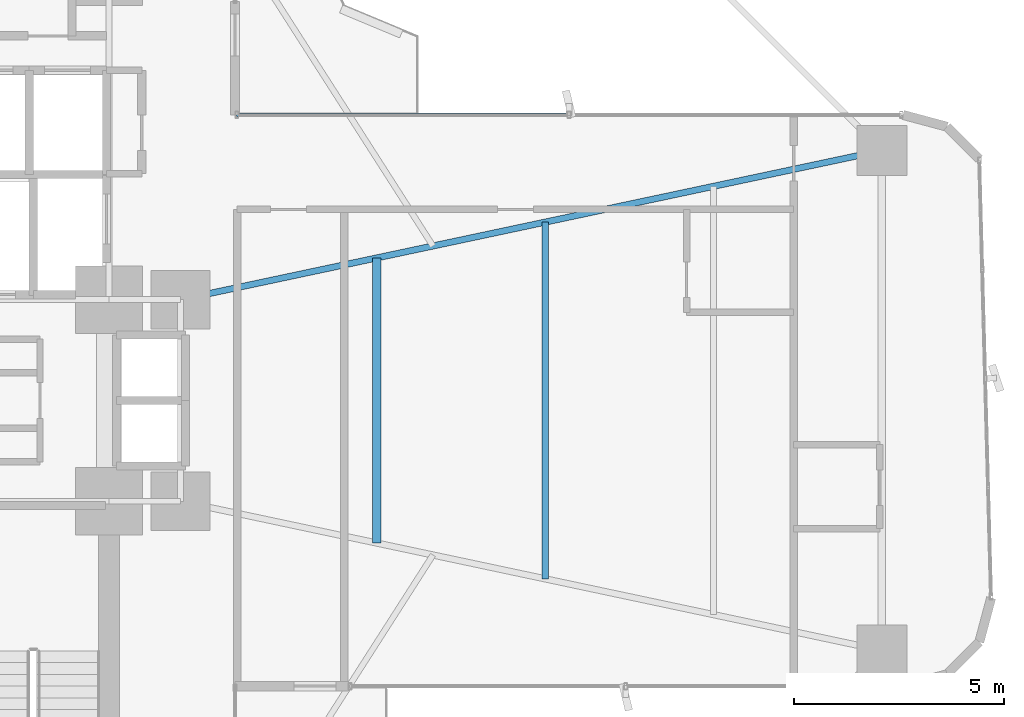
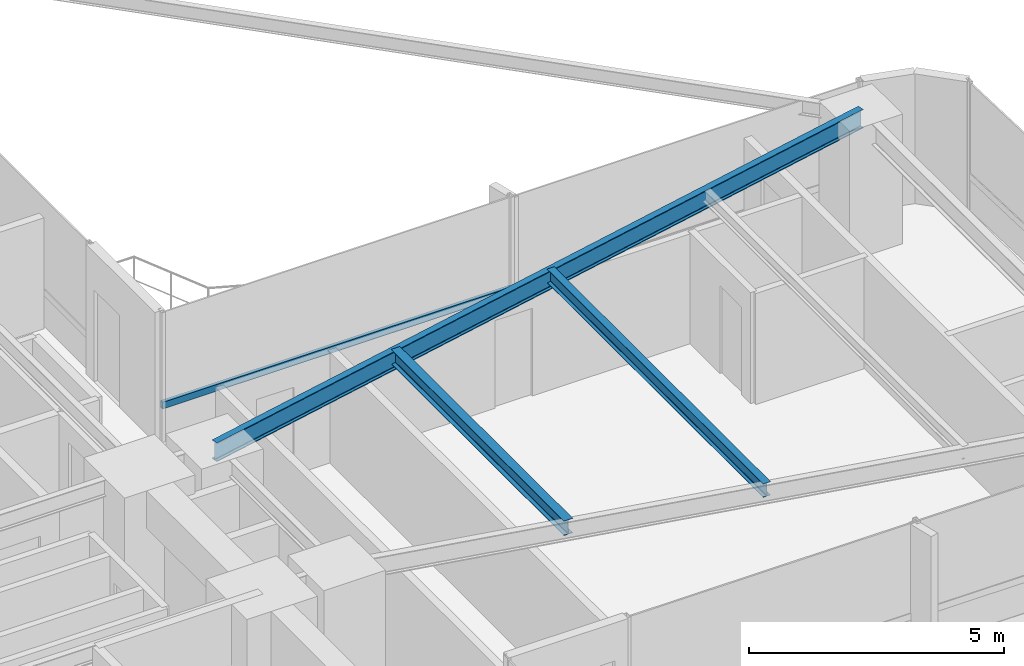
# One storey, part 15 of 25: 3 beams, 1 member, 1 element without a shape of its own.
"""IFC4 building model written with IfcOpenShell, lengths in metres."""

from ifc_helpers import new_model, si_unit, direction, frame, origin, origin_2d, place, context, subcontext, project, spatial, hollow_rectangle, i_section, extrude, source, transform, mapped, material, material_profile, profile_set, type_object, element, aggregate, save


model = new_model("IFC4")

# Units and contexts
model_context = context("Model", 3, precision=1e-05, world=origin(), true_north=direction((0.0, 1.0)))
body_context = subcontext(model_context, "Body", "Model", "MODEL_VIEW")
ifc_project = project(units=[si_unit("LENGTHUNIT", "METRE"), si_unit("AREAUNIT", "SQUARE_METRE"), si_unit("VOLUMEUNIT", "CUBIC_METRE"), si_unit("PLANEANGLEUNIT", "RADIAN"), si_unit("MASSUNIT", "GRAM", prefix="KILO")], contexts=[model_context])

# Site, building, storey
site_placement = place(None, origin())
site = spatial("IfcSite", under=ifc_project, at=site_placement, CompositionType="ELEMENT")
building_placement = place(site_placement, origin())
building = spatial("IfcBuilding", under=site, at=building_placement, Name="Sahyath Konkavel Grand Hotel", CompositionType="ELEMENT")
storey_placement = place(building_placement, frame((0.0, 0.0, 36.5)))
storey = spatial("IfcBuildingStorey", under=building, at=storey_placement, Name="L09", CompositionType="ELEMENT", Elevation=36.5)

# Beams
ifc_material_1 = material(Name="Steel E350", Category="steel")
ifc_material_profile_1 = material_profile(ifc_material_1, i_section(OverallWidth=0.14990234375, OverallDepth=0.449951171875, WebThickness=0.009521484375, FlangeThickness=0.017333984375, FilletRadius=0.014892578125, at=origin_2d()), Name="ISMB 450")
ifc_profile_set_1 = profile_set([ifc_material_profile_1], Name="Steel E350")
beam_type_1 = type_object("IfcBeamType", Name="BM-ISMB450", PredefinedType="BEAM", material=ifc_profile_set_1)
shared_shape_1 = source(origin(), body_context, "Body", "SweptSolid", [
    extrude(i_section(OverallWidth=0.14990234375, OverallDepth=0.449951171875, WebThickness=0.009521484375, FlangeThickness=0.017333984375, FilletRadius=0.014892578125, at=origin_2d()), origin(), (0.0, 0.0, 1.0), 17.072998046875),
])
beam_1_placement = place(storey_placement, frame((5.5, 2.39990234375, 2.885009765625), z_axis=(0.978143257225, 0.20793212437, 0.0), x_axis=(-0.20793212437, 0.978143257225, 0.0)))
element("IfcBeam", 1, at=beam_1_placement, inside=storey, type_object=beam_type_1, Name="L09 Cruciform Radial Girder EB", PredefinedType="BEAM", context=body_context, shape_type="MappedRepresentation", body=[
    mapped(shared_shape_1, transform((0.0, 0.0, 0.0), scale=1.0)),
])
ifc_material_profile_2 = material_profile(ifc_material_1, i_section(OverallWidth=0.199951171875, OverallDepth=0.35009765625, WebThickness=0.008056640625, FlangeThickness=0.011474609375, FilletRadius=0.013916015625, at=origin_2d()), Name="ISWB 350")
ifc_profile_set_2 = profile_set([ifc_material_profile_2], Name="Steel E350")
beam_type_2 = type_object("IfcBeamType", Name="BM-ISWB350", PredefinedType="BEAM", material=ifc_profile_set_2)
shared_shape_2 = source(origin(), body_context, "Body", "SweptSolid", [
    extrude(i_section(OverallWidth=0.199951171875, OverallDepth=0.35009765625, WebThickness=0.008056640625, FlangeThickness=0.011474609375, FilletRadius=0.013916015625, at=origin_2d()), origin(), (0.0, 0.0, 1.0), 6.7880859375),
])
beam_2_placement = place(storey_placement, frame((10.176025390625, -3.39404296875, 2.93505859375), z_axis=(0.0, 1.0, 0.0), x_axis=(-1.0, 0.0, 0.0)))
element("IfcBeam", 2, at=beam_2_placement, inside=storey, type_object=beam_type_2, Name="L09 Secondary Floor Beam E-1", PredefinedType="BEAM", context=body_context, shape_type="MappedRepresentation", body=[
    mapped(shared_shape_2, transform((0.0, 0.0, 0.0), scale=1.0)),
])
ifc_material_profile_3 = material_profile(ifc_material_1, i_section(OverallWidth=0.1650390625, OverallDepth=0.324951171875, WebThickness=0.007080078125, FlangeThickness=0.009765625, FilletRadius=0.014892578125, at=origin_2d()), Name="ISLB 325")
ifc_profile_set_3 = profile_set([ifc_material_profile_3], Name="Steel E350")
beam_type_3 = type_object("IfcBeamType", Name="BM-ISLB325", PredefinedType="BEAM", material=ifc_profile_set_3)
shared_shape_3 = source(origin(), body_context, "Body", "SweptSolid", [
    extrude(i_section(OverallWidth=0.1650390625, OverallDepth=0.324951171875, WebThickness=0.007080078125, FlangeThickness=0.009765625, FilletRadius=0.014892578125, at=origin_2d()), origin(), (0.0, 0.0, 1.0), 8.4921875),
])
beam_3_placement = place(storey_placement, frame((14.18408203125, -4.24609375, 2.947509765625), z_axis=(0.0, 1.0, 0.0), x_axis=(-1.0, 0.0, 0.0)))
element("IfcBeam", 3, at=beam_3_placement, inside=storey, type_object=beam_type_3, Name="L09 Secondary Floor Beam E-2", PredefinedType="BEAM", context=body_context, shape_type="MappedRepresentation", body=[
    mapped(shared_shape_3, transform((0.0, 0.0, 0.0), scale=1.0)),
])

# Curtain wall, member
ifc_material_2 = material(Name="Anodised Bronze Aluminium & Low-E Glazing", Category="aluminium")
curtain_wall_type = type_object("IfcCurtainWallType", Name="CW-ZONE1", PredefinedType="NOTDEFINED", material=ifc_material_2)
curtain_wall_placement = place(storey_placement, origin())
curtain_wall = element("IfcCurtainWall", 4, at=curtain_wall_placement, inside=storey, type_object=curtain_wall_type, Name="L09 Unitised Curtain Wall F7", PredefinedType="NOTDEFINED")
ifc_material_3 = material(Name="Anodised Bronze Aluminium", Category="aluminium")
ifc_material_profile_4 = material_profile(ifc_material_3, hollow_rectangle(XDim=0.080078125, YDim=0.159912109375, WallThickness=0.006103515625, at=origin_2d()), Name="RHS 160x80x6")
ifc_profile_set_4 = profile_set([ifc_material_profile_4], Name="Anodised Bronze Aluminium")
member_type = type_object("IfcMemberType", Name="CW-TRN-160", PredefinedType="USERDEFINED", material=ifc_profile_set_4)
shared_shape_4 = source(origin(), body_context, "Body", "SweptSolid", [
    extrude(hollow_rectangle(XDim=0.080078125, YDim=0.159912109375, WallThickness=0.006103515625, at=origin_2d()), origin(), (0.0, 0.0, 1.0), 7.909912109375),
])
member_placement = place(storey_placement, frame((14.75, 6.800048828125, 0.85009765625), z_axis=(-1.0, 0.0, 0.0), x_axis=(0.0, -1.0, 0.0)))
member = element("IfcMember", 5, at=member_placement, type_object=member_type, Name="L09 Curtain Wall Transom F7-1-spandrel", ObjectType="TRANSOM", PredefinedType="USERDEFINED", context=body_context, shape_type="MappedRepresentation", body=[
    mapped(shared_shape_4, transform((0.0, 0.0, 0.0), scale=1.0)),
])
aggregate(curtain_wall, [member])

save(model, "model.ifc")
